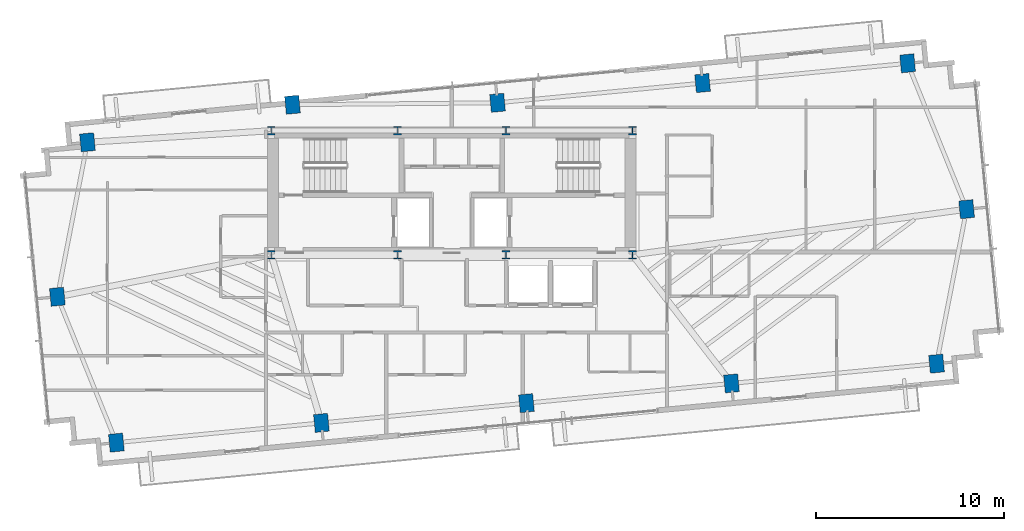
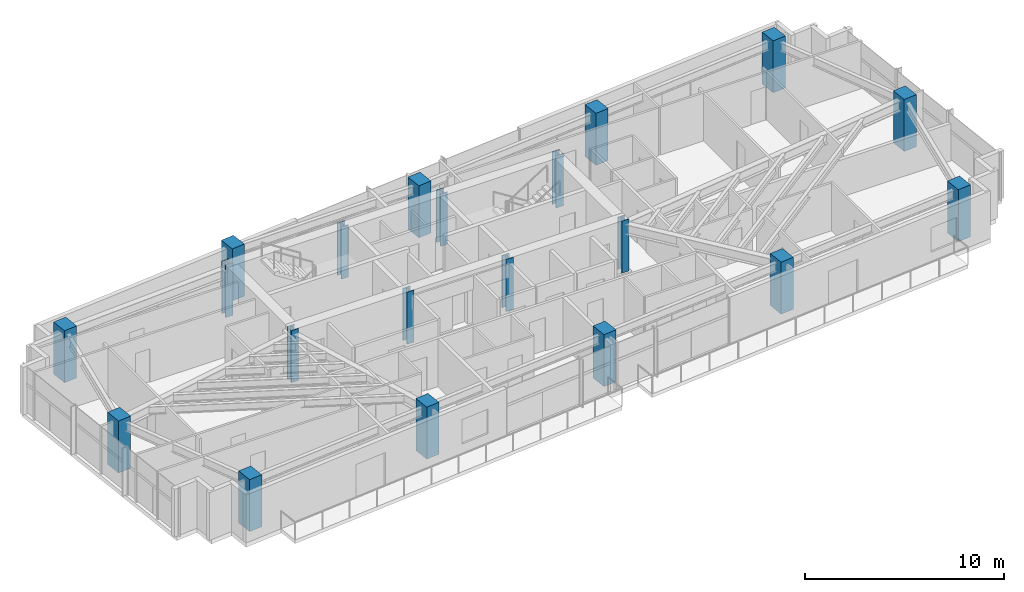
# One storey, part 1 of 18: 20 columns.
"""IFC4 building model written with IfcOpenShell, lengths in metres."""

from ifc_helpers import new_model, si_unit, direction, frame, origin, origin_2d, place, context, subcontext, project, spatial, rectangle, i_section, extrude, source, transform, mapped, material, material_profile, profile_set, type_object, type_shapes, element, save


model = new_model("IFC4")

# Units and contexts
model_context = context("Model", 3, precision=1e-05, world=origin(), true_north=direction((0.0, 1.0)))
body_context = subcontext(model_context, "Body", "Model", "MODEL_VIEW")
ifc_project = project(units=[si_unit("LENGTHUNIT", "METRE"), si_unit("AREAUNIT", "SQUARE_METRE"), si_unit("VOLUMEUNIT", "CUBIC_METRE"), si_unit("PLANEANGLEUNIT", "RADIAN"), si_unit("MASSUNIT", "GRAM", prefix="KILO")], contexts=[model_context])

# Site, building, storey
site_placement = place(None, origin())
site = spatial("IfcSite", under=ifc_project, at=site_placement, CompositionType="ELEMENT")
building_placement = place(site_placement, origin())
building = spatial("IfcBuilding", under=site, at=building_placement, Name="Astriad Promenade Condominiums", CompositionType="ELEMENT")
storey_placement = place(building_placement, frame((0.0, 0.0, 192.199951171875)))
storey = spatial("IfcBuildingStorey", under=building, at=storey_placement, Name="L55", CompositionType="ELEMENT", Elevation=192.199951171875)

# Columns
ifc_material_1 = material(Name="Steel ASTM A992 Grade 50", Category="steel")
ifc_material_profile_1 = material_profile(ifc_material_1, i_section(OverallWidth=0.41552734375, OverallDepth=0.445556640625, WebThickness=0.0390625, FlangeThickness=0.062744140625, FilletRadius=0.017822265625, at=origin_2d()), Name="W14X342")
ifc_profile_set_1 = profile_set([ifc_material_profile_1], Name="Steel ASTM A992 Grade 50")
column_type_1 = type_object("IfcColumnType", Name="STEEL CORE PILASTER W14X342", PredefinedType="PILASTER", material=ifc_profile_set_1)
shared_shape_1 = source(origin(), body_context, "Body", "SweptSolid", [
    extrude(i_section(OverallWidth=0.41552734375, OverallDepth=0.445556640625, WebThickness=0.0390625, FlangeThickness=0.062744140625, FilletRadius=0.017822265625, at=origin_2d()), origin(), (0.0, 0.0, 1.0), 3.196044921875),
])
type_shapes(column_type_1, [shared_shape_1])
for number, where, z_axis, x_axis, name in (
    (1, (26.39990234375, 17.39990234375, 0.001953125), (0.0, 0.0, 1.0), (1.0, 0.0, 0.0), "Core Pilaster Column CP1 (L55)"),
    (2, (33.1201171875, 17.39990234375, 0.001953125), (0.0, 0.0, 1.0), (1.0, 0.0, 0.0), "Core Pilaster Column CP2 (L55)"),
    (3, (38.8798828125, 17.39990234375, 0.001953125), (0.0, 0.0, 1.0), (1.0, 0.0, 0.0), "Core Pilaster Column CP3 (L55)"),
    (4, (45.60009765625, 17.39990234375, 0.001953125), (0.0, 0.0, 1.0), (1.0, 0.0, 0.0), "Core Pilaster Column CP4 (L55)"),
    (5, (26.39990234375, 24.0, 0.001953125), (0.0, 0.0, 1.0), (1.0, 0.0, 0.0), "Core Pilaster Column CP5 (L55)"),
    (6, (33.1201171875, 24.0, 0.001953125), (0.0, 0.0, 1.0), (1.0, 0.0, 0.0), "Core Pilaster Column CP6 (L55)"),
    (7, (38.8798828125, 24.0, 0.001953125), (0.0, 0.0, 1.0), (1.0, 0.0, 0.0), "Core Pilaster Column CP7 (L55)"),
    (8, (45.60009765625, 24.0, 0.001953125), (0.0, 0.0, 1.0), (1.0, 0.0, 0.0), "Core Pilaster Column CP8 (L55)"),
):
    element("IfcColumn", number, at=place(storey_placement, frame(where, z_axis=z_axis, x_axis=x_axis)), inside=storey, type_object=column_type_1, Name=name, PredefinedType="PILASTER", context=body_context, shape_type="MappedRepresentation", body=[
        mapped(shared_shape_1, transform((0.0, 0.0, 0.0), scale=1.0)),
    ])
ifc_material_2 = material(Name="Concrete C50/60", Category="concrete")
ifc_material_profile_2 = material_profile(ifc_material_2, rectangle(XDim=0.75, YDim=0.949951171875, at=origin_2d()), Name="RC-COL-950X750")
ifc_profile_set_2 = profile_set([ifc_material_profile_2], Name="Concrete C50/60")
column_type_2 = type_object("IfcColumnType", Name="CONCRETE TOWER COLUMN 950X750", PredefinedType="COLUMN", material=ifc_profile_set_2)
shared_shape_2 = source(origin(), body_context, "Body", "SweptSolid", [
    extrude(rectangle(XDim=0.75, YDim=0.949951171875, at=origin_2d()), origin(), (0.0, 0.0, 1.0), 3.196044921875),
])
type_shapes(column_type_2, [shared_shape_2])
for number, where, z_axis, x_axis, name in (
    (9, (18.16943359375, 7.41796875, 0.001953125), (0.0, 0.0, 1.0), (0.995396198367, 0.09584575252, 0.0), "Perimeter Column PC01 (L55)"),
    (10, (29.069091796875, 8.46728515625, 0.001953125), (0.0, 0.0, 1.0), (0.995396198367, 0.09584575252, 0.0), "Perimeter Column PC02 (L55)"),
    (11, (39.96875, 9.516845703125, 0.001953125), (0.0, 0.0, 1.0), (0.995396198367, 0.09584575252, 0.0), "Perimeter Column PC03 (L55)"),
    (12, (50.868408203125, 10.56640625, 0.001953125), (0.0, 0.0, 1.0), (0.995396198367, 0.09584575252, 0.0), "Perimeter Column PC04 (L55)"),
    (13, (61.767822265625, 11.615966796875, 0.001953125), (0.0, 0.0, 1.0), (0.995396198367, 0.09584575252, 0.0), "Perimeter Column PC05 (L55)"),
    (14, (16.632080078125, 23.384033203125, 0.001953125), (0.0, 0.0, 1.0), (0.995396198367, 0.09584575252, 0.0), "Perimeter Column PC06 (L55)"),
    (15, (27.53173828125, 25.3798828125, 0.001953125), (0.0, 0.0, 1.0), (0.995396198367, 0.09584575252, 0.0), "Perimeter Column PC07 (L55)"),
    (16, (38.431396484375, 25.483154296875, 0.001953125), (0.0, 0.0, 1.0), (0.995396198367, 0.09584575252, 0.0), "Perimeter Column PC08 (L55)"),
    (17, (49.330810546875, 26.53271484375, 0.001953125), (0.0, 0.0, 1.0), (0.995396198367, 0.09584575252, 0.0), "Perimeter Column PC09 (L55)"),
    (18, (60.23046875, 27.58203125, 0.001953125), (0.0, 0.0, 1.0), (0.995396198367, 0.09584575252, 0.0), "Perimeter Column PC10 (L55)"),
    (19, (15.03173828125, 15.1728515625, 0.001953125), (0.0, 0.0, 1.0), (0.995396198367, 0.09584575252, 0.0), "Perimeter Column PC11 (L55)"),
    (20, (63.3681640625, 19.8271484375, 0.001953125), (0.0, 0.0, 1.0), (0.995396198367, 0.09584575252, 0.0), "Perimeter Column PC12 (L55)"),
):
    element("IfcColumn", number, at=place(storey_placement, frame(where, z_axis=z_axis, x_axis=x_axis)), inside=storey, type_object=column_type_2, Name=name, PredefinedType="COLUMN", context=body_context, shape_type="MappedRepresentation", body=[
        mapped(shared_shape_2, transform((0.0, 0.0, 0.0), scale=1.0)),
    ])

save(model, "model.ifc")
